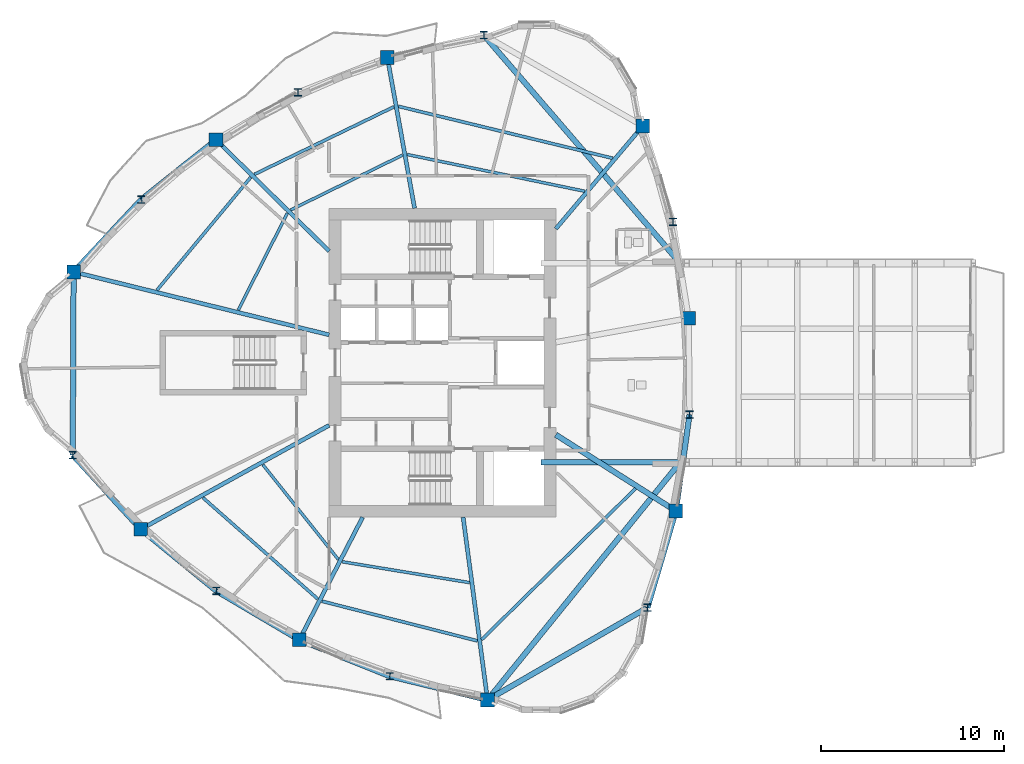
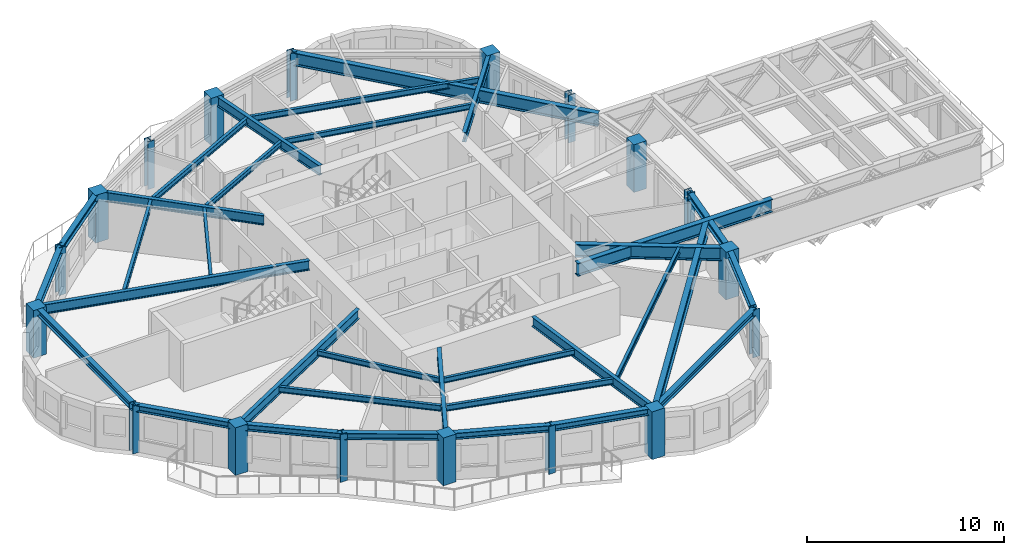
# One storey, part 1 of 13: 33 beams, 18 columns.
"""IFC4 building model written with IfcOpenShell, lengths in metres."""

import ifcopenshell
import ifcopenshell.guid

model = None  # the IFC model being written
_history = None  # IfcOwnerHistory: only IFC2X3 demands one
_inside = {}  # id of a spatial element -> (the spatial element, [elements in it])
_under = {}  # id of a project, library or spatial element -> (it, [spatial elements below it])
_declared = {}  # id of a project -> (the project, [libraries it declares])
_typed = {}  # id of a type object -> (the type object, [elements of that type])
_made_of = {}  # id of a material, layer set ... -> (it, [elements and type objects made of it])


def new_model(schema):
    """Start an empty IFC model of exactly this schema.

    Asked for "IFC4X3", IfcOpenShell would pick the latest addendum, in which some entities
    have other attributes; the version numbers below select the first issue.
    IFC2X3 requires an IfcOwnerHistory on every rooted entity: one is made here for all.
    """
    global model, _history
    if schema == "IFC4X3":
        model = ifcopenshell.file(schema_version=(4, 3, 0, 0))
    else:
        model = ifcopenshell.file(schema=schema)
    _inside.clear()
    _under.clear()
    _declared.clear()
    _typed.clear()
    _made_of.clear()
    _history = None
    if model.schema == "IFC2X3":
        org = make("IfcOrganization", Name="unknown")
        user = make(
            "IfcPersonAndOrganization",
            ThePerson=make("IfcPerson", FamilyName="unknown"),
            TheOrganization=org,
        )
        app = make(
            "IfcApplication",
            ApplicationDeveloper=org,
            Version="unknown",
            ApplicationFullName="unknown",
            ApplicationIdentifier="unknown",
        )
        _history = make(
            "IfcOwnerHistory",
            OwningUser=user,
            OwningApplication=app,
            ChangeAction="ADDED",
            CreationDate=0,
        )
    return model


def make(cls, **values):
    """One entity of the class cls with the attributes given. An attribute that is None is left unset."""
    return model.create_entity(
        cls, **{name: value for name, value in values.items() if value is not None}
    )


def rooted(cls, **values):
    """An entity with a GlobalId (a new one), such as an element, a storey or a relation."""
    return make(cls, GlobalId=ifcopenshell.guid.new(), OwnerHistory=_history, **values)


def si_unit(unit_type, name, prefix=None):
    """IfcSIUnit, for example si_unit("LENGTHUNIT", "METRE", prefix="MILLI")."""
    return make("IfcSIUnit", UnitType=unit_type, Prefix=prefix, Name=name)


def assignment(units):
    """IfcUnitAssignment: the units of a project."""
    return None if units is None else make("IfcUnitAssignment", Units=units)


def point(xyz):
    """IfcCartesianPoint."""
    return None if xyz is None else make("IfcCartesianPoint", Coordinates=xyz)


def direction(xyz):
    """IfcDirection."""
    return None if xyz is None else make("IfcDirection", DirectionRatios=xyz)


def frame(location, z_axis=None, x_axis=None):
    """IfcAxis2Placement3D, a coordinate frame: its origin and axes. An axis left out is left unset."""
    return make(
        "IfcAxis2Placement3D",
        Location=point(location),
        Axis=direction(z_axis),
        RefDirection=direction(x_axis),
    )


def frame_2d(location, x_axis=None):
    """IfcAxis2Placement2D, a coordinate frame in the plane: its origin and x axis."""
    return make(
        "IfcAxis2Placement2D", Location=point(location), RefDirection=direction(x_axis)
    )


def origin():
    """The frame at (0, 0, 0) with its axes left unset."""
    return frame((0.0, 0.0, 0.0))


def origin_2d():
    """The frame at (0, 0) in the plane with its x axis left unset."""
    return frame_2d((0.0, 0.0))


def place(relative_to, where):
    """IfcLocalPlacement: puts the frame where relative to a parent placement (None: the world)."""
    return make(
        "IfcLocalPlacement", PlacementRelTo=relative_to, RelativePlacement=where
    )


def context(
    kind, dimensions, precision=None, world=None, true_north=None, identifier=None
):
    """IfcGeometricRepresentationContext, for example the 3D "Model" context."""
    return make(
        "IfcGeometricRepresentationContext",
        ContextIdentifier=identifier,
        ContextType=kind,
        CoordinateSpaceDimension=dimensions,
        Precision=precision,
        WorldCoordinateSystem=world,
        TrueNorth=true_north,
    )


def subcontext(parent, identifier, kind, view, scale=None):
    """IfcGeometricRepresentationSubContext, for example "Body" below "Model"."""
    return make(
        "IfcGeometricRepresentationSubContext",
        ContextIdentifier=identifier,
        ContextType=kind,
        ParentContext=parent,
        TargetScale=scale,
        TargetView=view,
    )


def project(units=None, contexts=None):
    """IfcProject with its units and contexts."""
    return rooted(
        "IfcProject",
        Name="project",
        RepresentationContexts=contexts,
        UnitsInContext=assignment(units),
    )


def spatial(cls, under=None, at=None, **own):
    """A site, building, storey or space (cls), placed at a placement, below another one or the project."""
    s = rooted(cls, ObjectPlacement=at, **own)
    if under is not None:
        _under.setdefault(under.id(), (under, []))[1].append(s)
    return s


def profile(cls, at=None, kind="AREA", **sizes):
    """A parametric profile (cls). Its sizes go by their IFC names, for example OverallWidth=200.0."""
    return make(cls, ProfileType=kind, Position=at, **sizes)


def rectangle(**sizes):
    """IfcRectangleProfileDef."""
    return profile("IfcRectangleProfileDef", **sizes)


def i_section(**sizes):
    """IfcIShapeProfileDef."""
    return profile("IfcIShapeProfileDef", **sizes)


def extrude(swept, where, along, depth):
    """IfcExtrudedAreaSolid: the profile swept, set in the frame where, extruded along a direction by depth."""
    return make(
        "IfcExtrudedAreaSolid",
        SweptArea=swept,
        Position=where,
        ExtrudedDirection=direction(along),
        Depth=depth,
    )


def shape(context_of_items, identifier, shape_type, items):
    """IfcShapeRepresentation: the items that make up one representation, for example the "Body"."""
    return make(
        "IfcShapeRepresentation",
        ContextOfItems=context_of_items,
        RepresentationIdentifier=identifier,
        RepresentationType=shape_type,
        Items=items,
    )


def source(mapping_origin, context_of_items, identifier, shape_type, items):
    """IfcRepresentationMap: a shape defined once, which mapped items show again and again."""
    return make(
        "IfcRepresentationMap",
        MappingOrigin=mapping_origin,
        MappedRepresentation=shape(context_of_items, identifier, shape_type, items),
    )


def transform(
    local_origin,
    x_axis=None,
    y_axis=None,
    z_axis=None,
    scale=None,
    scale2=None,
    scale3=None,
    uniform=True,
):
    """IfcCartesianTransformationOperator3D, or its non-uniform kind. x_axis, y_axis, z_axis: its Axis1, 2, 3."""
    if uniform:
        return make(
            "IfcCartesianTransformationOperator3D",
            Axis1=direction(x_axis),
            Axis2=direction(y_axis),
            LocalOrigin=point(local_origin),
            Scale=scale,
            Axis3=direction(z_axis),
        )
    return make(
        "IfcCartesianTransformationOperator3DnonUniform",
        Axis1=direction(x_axis),
        Axis2=direction(y_axis),
        LocalOrigin=point(local_origin),
        Scale=scale,
        Axis3=direction(z_axis),
        Scale2=scale2,
        Scale3=scale3,
    )


def mapped(mapping_source, mapping_target):
    """IfcMappedItem: shows the shape of a source again, moved by a transform."""
    return make(
        "IfcMappedItem", MappingSource=mapping_source, MappingTarget=mapping_target
    )


def material(Name=None, Category=None):
    """IfcMaterial."""
    return make("IfcMaterial", Name=Name, Category=Category)


def material_profile(
    of_material, cross_section, Name=None, Category=None, Priority=None
):
    """IfcMaterialProfile: a cross section and its material."""
    return make(
        "IfcMaterialProfile",
        Name=Name,
        Material=of_material,
        Profile=cross_section,
        Priority=Priority,
        Category=Category,
    )


def profile_set(profiles, Name=None, composite=None):
    """IfcMaterialProfileSet."""
    return make(
        "IfcMaterialProfileSet",
        Name=Name,
        MaterialProfiles=profiles,
        CompositeProfile=composite,
    )


def made_of(thing, what):
    """Note that an element or type object is made of a material, layer set ...; save() writes the relation."""
    if what is not None:
        _made_of.setdefault(what.id(), (what, []))[1].append(thing)
    return thing


def type_object(cls, material=None, **own):
    """A type object (cls), such as IfcWallType, which elements share."""
    return made_of(rooted(cls, **own), material)


def element(
    cls,
    number,
    at=None,
    inside=None,
    cuts=None,
    type_object=None,
    material=None,
    context=None,
    identifier="Body",
    shape_type=None,
    held_by="IfcProductDefinitionShape",
    body=None,
    shapes=None,
    **own,
):
    """One element of the class cls, such as IfcWall. Its Tag is "e" and its number.

    at: its placement. inside: the storey or other place that contains it. cuts: it is an
    opening in that element (IfcRelVoidsElement). A single representation is given by context,
    identifier, shape_type and body (its items); several are given by shapes. held_by: the class
    of the entity that holds the representations. save() writes the other relations.
    """
    e = rooted(cls, Tag="e%d" % number, ObjectPlacement=at, **own)
    if body is not None:
        shapes = [shape(context, identifier, shape_type, body)]
    if shapes is not None:
        e.Representation = make(held_by, Representations=shapes)
    if inside is not None:
        _inside.setdefault(inside.id(), (inside, []))[1].append(e)
    if cuts is not None:
        rooted(
            "IfcRelVoidsElement", RelatingBuildingElement=cuts, RelatedOpeningElement=e
        )
    if type_object is not None:
        _typed.setdefault(type_object.id(), (type_object, []))[1].append(e)
    return made_of(e, material)


def aggregate(whole, parts):
    """IfcRelAggregates: a whole, such as a stair, and the parts it consists of."""
    return rooted("IfcRelAggregates", RelatingObject=whole, RelatedObjects=parts)


def save(model, path):
    """Write the relations noted so far, then the file.

    IfcRelAggregates (storeys below a building ...), IfcRelContainedInSpatialStructure (elements
    in a storey), IfcRelDefinesByType, IfcRelAssociatesMaterial and IfcRelDeclares: one each for
    every whole, place, type object, material and project.
    """
    for whole, parts in _under.values():
        aggregate(whole, parts)
    for where, things in _inside.values():
        rooted(
            "IfcRelContainedInSpatialStructure",
            RelatedElements=things,
            RelatingStructure=where,
        )
    for kind, things in _typed.values():
        rooted("IfcRelDefinesByType", RelatedObjects=things, RelatingType=kind)
    for what, things in _made_of.values():
        rooted("IfcRelAssociatesMaterial", RelatedObjects=things, RelatingMaterial=what)
    for by, libraries in _declared.values():
        rooted("IfcRelDeclares", RelatingContext=by, RelatedDefinitions=libraries)
    model.write(path)


model = new_model("IFC4")

# Units and contexts
model_context = context("Model", 3, precision=1e-05, world=origin(), true_north=direction((0.0, 1.0)))
body_context = subcontext(model_context, "Body", "Model", "MODEL_VIEW")
ifc_project = project(units=[si_unit("LENGTHUNIT", "METRE"), si_unit("AREAUNIT", "SQUARE_METRE"), si_unit("VOLUMEUNIT", "CUBIC_METRE"), si_unit("PLANEANGLEUNIT", "RADIAN"), si_unit("MASSUNIT", "GRAM", prefix="KILO")], contexts=[model_context])

# Site, building, storey
site_placement = place(None, origin())
site = spatial("IfcSite", under=ifc_project, at=site_placement, CompositionType="ELEMENT")
building_placement = place(site_placement, origin())
building = spatial("IfcBuilding", under=site, at=building_placement, Name="Qafzar Sky-Pleat Residences", CompositionType="ELEMENT")
storey_placement = place(building_placement, frame((0.0, 0.0, 158.60009765625)))
storey = spatial("IfcBuildingStorey", under=building, at=storey_placement, Name="L47", CompositionType="ELEMENT", Elevation=158.60009765625)

# Columns
ifc_material_1 = material(Name="Concrete C60/75", Category="concrete")
ifc_material_profile_1 = material_profile(ifc_material_1, rectangle(XDim=0.75, YDim=0.75, at=origin_2d()), Name="RC 750x750")
ifc_profile_set_1 = profile_set([ifc_material_profile_1], Name="Concrete C60/75")
column_type_1 = type_object("IfcColumnType", Name="COL-RC-750", PredefinedType="COLUMN", material=ifc_profile_set_1)
shared_shape_1 = source(origin(), body_context, "Body", "SweptSolid", [
    extrude(rectangle(XDim=0.75, YDim=0.75, at=origin_2d()), origin(), (0.0, 0.0, 1.0), 2.949951171875),
])
for number, where, z_axis, x_axis, name in (
    (1, (10.173583984375, 30.96728515625, 0.0), (0.0, 0.0, 1.0), (1.0, 0.0, 0.0), "L47 Perimeter Mega Column 1"),
    (2, (13.849365234375, 16.890869140625, 0.0), (0.0, 0.0, 1.0), (1.0, 0.0, 0.0), "L47 Perimeter Mega Column 3"),
    (3, (22.51904296875, 10.843017578125, 0.0), (0.0, 0.0, 1.0), (1.0, 0.0, 0.0), "L47 Perimeter Mega Column 5"),
    (4, (32.817626953125, 7.55419921875, 0.0), (0.0, 0.0, 1.0), (1.0, 0.0, 0.0), "L47 Perimeter Mega Column 7"),
    (5, (43.11669921875, 17.890380859375, 0.0), (0.0, 0.0, 1.0), (1.0, 0.0, 0.0), "L47 Perimeter Mega Column 9"),
    (6, (43.81591796875, 28.43798828125, 0.0), (0.0, 0.0, 1.0), (1.0, 0.0, 0.0), "L47 Perimeter Mega Column 11"),
    (7, (41.31103515625, 38.954833984375, 0.0), (0.0, 0.0, 1.0), (1.0, 0.0, 0.0), "L47 Perimeter Mega Column 13"),
    (8, (27.336181640625, 42.695068359375, 0.0), (0.0, 0.0, 1.0), (1.0, 0.0, 0.0), "L47 Perimeter Mega Column 15"),
    (9, (17.96728515625, 38.1953125, 0.0), (0.0, 0.0, 1.0), (1.0, 0.0, 0.0), "L47 Perimeter Mega Column 17"),
):
    element("IfcColumn", number, at=place(storey_placement, frame(where, z_axis=z_axis, x_axis=x_axis)), inside=storey, type_object=column_type_1, Name=name, PredefinedType="COLUMN", context=body_context, shape_type="MappedRepresentation", body=[
        mapped(shared_shape_1, transform((0.0, 0.0, 0.0), x_axis=(1.0, 0.0, 0.0), y_axis=(0.0, 1.0, 0.0), z_axis=(0.0, 0.0, 1.0), scale=1.0)),
    ])
ifc_material_2 = material(Name="Steel S355", Category="steel")
ifc_material_profile_2 = material_profile(ifc_material_2, i_section(OverallWidth=0.40087890625, OverallDepth=0.39892578125, WebThickness=0.02294921875, FlangeThickness=0.035888671875, FilletRadius=0.014892578125, at=origin_2d()), Name="HD 400x314")
ifc_profile_set_2 = profile_set([ifc_material_profile_2], Name="Steel S355")
column_type_2 = type_object("IfcColumnType", Name="COL-STL-HD314", PredefinedType="PILASTER", material=ifc_profile_set_2)
shared_shape_2 = source(origin(), body_context, "Body", "SweptSolid", [
    extrude(i_section(OverallWidth=0.40087890625, OverallDepth=0.39892578125, WebThickness=0.02294921875, FlangeThickness=0.035888671875, FilletRadius=0.014892578125, at=origin_2d()), origin(), (0.0, 0.0, 1.0), 2.949951171875),
])
for number, where, z_axis, x_axis, name in (
    (10, (10.125244140625, 20.94970703125, 0.0), (0.0, 0.0, 1.0), (1.0, 0.0, 0.0), "L47 Perimeter Mega Column 2"),
    (11, (17.98046875, 13.52197265625, 0.0), (0.0, 0.0, 1.0), (1.0, 0.0, 0.0), "L47 Perimeter Mega Column 4"),
    (12, (27.464599609375, 8.853759765625, 0.0), (0.0, 0.0, 1.0), (1.0, 0.0, 0.0), "L47 Perimeter Mega Column 6"),
    (13, (41.565673828125, 12.60498046875, 0.0), (0.0, 0.0, 1.0), (1.0, 0.0, 0.0), "L47 Perimeter Mega Column 8"),
    (14, (43.866943359375, 23.168212890625, 0.0), (0.0, 0.0, 1.0), (1.0, 0.0, 0.0), "L47 Perimeter Mega Column 10"),
    (15, (42.964111328125, 33.7001953125, 0.0), (0.0, 0.0, 1.0), (1.0, 0.0, 0.0), "L47 Perimeter Mega Column 12"),
    (16, (32.611328125, 43.921630859375, 0.0), (0.0, 0.0, 1.0), (1.0, 0.0, 0.0), "L47 Perimeter Mega Column 14"),
    (17, (22.454833984375, 40.786376953125, 0.0), (0.0, 0.0, 1.0), (1.0, 0.0, 0.0), "L47 Perimeter Mega Column 16"),
    (18, (13.87353515625, 34.92236328125, 0.0), (0.0, 0.0, 1.0), (1.0, 0.0, 0.0), "L47 Perimeter Mega Column 18"),
):
    element("IfcColumn", number, at=place(storey_placement, frame(where, z_axis=z_axis, x_axis=x_axis)), inside=storey, type_object=column_type_2, Name=name, PredefinedType="PILASTER", context=body_context, shape_type="MappedRepresentation", body=[
        mapped(shared_shape_2, transform((0.0, 0.0, 0.0), x_axis=(1.0, 0.0, 0.0), y_axis=(0.0, 1.0, 0.0), z_axis=(0.0, 0.0, 1.0), scale=1.0)),
    ])

# Beams
ifc_material_profile_3 = material_profile(ifc_material_2, i_section(OverallWidth=0.300048828125, OverallDepth=0.39990234375, WebThickness=0.013427734375, FlangeThickness=0.02392578125, FilletRadius=0.027099609375, at=origin_2d()), Name="HEB 400")
ifc_profile_set_3 = profile_set([ifc_material_profile_3], Name="Steel S355")
beam_type_1 = type_object("IfcBeamType", Name="BM-SPAN-HEB400", PredefinedType="SPANDREL", material=ifc_profile_set_3)
shared_shape_3 = source(origin(), body_context, "Body", "SweptSolid", [
    extrude(i_section(OverallWidth=0.300048828125, OverallDepth=0.39990234375, WebThickness=0.013427734375, FlangeThickness=0.02392578125, FilletRadius=0.027099609375, at=origin_2d()), origin(), (0.0, 0.0, 1.0), 10.017578125),
])
beam_1_placement = place(storey_placement, frame((10.173583984375, 30.96728515625, 2.747802734375), z_axis=(-0.004825445866, -0.999988357468, 0.0), x_axis=(0.999988357468, -0.004825445866, 0.0)))
element("IfcBeam", 19, at=beam_1_placement, inside=storey, type_object=beam_type_1, Name="L47 Perimeter Spandrel Beam 1", PredefinedType="SPANDREL", context=body_context, shape_type="MappedRepresentation", body=[
    mapped(shared_shape_3, transform((0.0, 0.0, 0.0), x_axis=(1.0, 0.0, 0.0), y_axis=(0.0, 1.0, 0.0), z_axis=(0.0, 0.0, 1.0), scale=1.0)),
])
shared_shape_4 = source(origin(), body_context, "Body", "SweptSolid", [
    extrude(i_section(OverallWidth=0.300048828125, OverallDepth=0.39990234375, WebThickness=0.013427734375, FlangeThickness=0.02392578125, FilletRadius=0.027099609375, at=origin_2d()), origin(), (0.0, 0.0, 1.0), 10.101318359375),
])
beam_2_placement = place(storey_placement, frame((32.817626953125, 7.55419921875, 2.747802734375), z_axis=(0.86602137294, 0.500006981563, 0.0), x_axis=(-0.500006981563, 0.86602137294, 0.0)))
element("IfcBeam", 20, at=beam_2_placement, inside=storey, type_object=beam_type_1, Name="L47 Perimeter Spandrel Beam 7", PredefinedType="SPANDREL", context=body_context, shape_type="MappedRepresentation", body=[
    mapped(shared_shape_4, transform((0.0, 0.0, 0.0), x_axis=(1.0, 0.0, 0.0), y_axis=(0.0, 1.0, 0.0), z_axis=(0.0, 0.0, 1.0), scale=1.0)),
])
shared_shape_5 = source(origin(), body_context, "Body", "SweptSolid", [
    extrude(i_section(OverallWidth=0.300048828125, OverallDepth=0.39990234375, WebThickness=0.013427734375, FlangeThickness=0.02392578125, FilletRadius=0.027099609375, at=origin_2d()), origin(), (0.0, 0.0, 1.0), 5.508544921875),
])
for number, where, z_axis, x_axis, name in (
    (21, (10.125244140625, 20.94970703125, 2.747802734375), (0.676071762207, -0.73683578384, 0.0), (0.73683578384, 0.676071762207, 0.0), "L47 Perimeter Spandrel Beam 2"),
    (22, (27.464599609375, 8.853759765625, 2.747802734375), (0.971772867316, -0.235918406126, 0.0), (0.235918406126, 0.971772867316, 0.0), "L47 Perimeter Spandrel Beam 6"),
):
    element("IfcBeam", number, at=place(storey_placement, frame(where, z_axis=z_axis, x_axis=x_axis)), inside=storey, type_object=beam_type_1, Name=name, PredefinedType="SPANDREL", context=body_context, shape_type="MappedRepresentation", body=[
        mapped(shared_shape_5, transform((0.0, 0.0, 0.0), x_axis=(1.0, 0.0, 0.0), y_axis=(0.0, 1.0, 0.0), z_axis=(0.0, 0.0, 1.0), scale=1.0)),
    ])
shared_shape_6 = source(origin(), body_context, "Body", "SweptSolid", [
    extrude(i_section(OverallWidth=0.300048828125, OverallDepth=0.39990234375, WebThickness=0.013427734375, FlangeThickness=0.02392578125, FilletRadius=0.027099609375, at=origin_2d()), origin(), (0.0, 0.0, 1.0), 5.33056640625),
])
for number, where, z_axis, x_axis, name in (
    (23, (13.849365234375, 16.890869140625, 2.747802734375), (0.774976584749, -0.631989946986, 0.0), (0.631989946986, 0.774976584749, 0.0), "L47 Perimeter Spandrel Beam 3"),
    (24, (22.51904296875, 10.843017578125, 2.747802734375), (0.92776113482, -0.373174592808, 0.0), (0.373174592808, 0.92776113482, 0.0), "L47 Perimeter Spandrel Beam 5"),
):
    element("IfcBeam", number, at=place(storey_placement, frame(where, z_axis=z_axis, x_axis=x_axis)), inside=storey, type_object=beam_type_1, Name=name, PredefinedType="SPANDREL", context=body_context, shape_type="MappedRepresentation", body=[
        mapped(shared_shape_6, transform((0.0, 0.0, 0.0), x_axis=(1.0, 0.0, 0.0), y_axis=(0.0, 1.0, 0.0), z_axis=(0.0, 0.0, 1.0), scale=1.0)),
    ])
shared_shape_7 = source(origin(), body_context, "Body", "SweptSolid", [
    extrude(i_section(OverallWidth=0.300048828125, OverallDepth=0.39990234375, WebThickness=0.013427734375, FlangeThickness=0.02392578125, FilletRadius=0.027099609375, at=origin_2d()), origin(), (0.0, 0.0, 1.0), 5.270263671875),
])
beam_3_placement = place(storey_placement, frame((17.98046875, 13.52197265625, 2.747802734375), z_axis=(0.861169898552, -0.508317229522, 0.0), x_axis=(0.508317229522, 0.861169898552, 0.0)))
element("IfcBeam", 25, at=beam_3_placement, inside=storey, type_object=beam_type_1, Name="L47 Perimeter Spandrel Beam 4", PredefinedType="SPANDREL", context=body_context, shape_type="MappedRepresentation", body=[
    mapped(shared_shape_7, transform((0.0, 0.0, 0.0), x_axis=(1.0, 0.0, 0.0), y_axis=(0.0, 1.0, 0.0), z_axis=(0.0, 0.0, 1.0), scale=1.0)),
])
shared_shape_8 = source(origin(), body_context, "Body", "SweptSolid", [
    extrude(i_section(OverallWidth=0.300048828125, OverallDepth=0.39990234375, WebThickness=0.013427734375, FlangeThickness=0.02392578125, FilletRadius=0.027099609375, at=origin_2d()), origin(), (0.0, 0.0, 1.0), 5.50830078125),
])
beam_4_placement = place(storey_placement, frame((41.565673828125, 12.60498046875, 2.747802734375), z_axis=(0.281580762913, 0.959537531292, 0.0), x_axis=(-0.959537531292, 0.281580762913, 0.0)))
element("IfcBeam", 26, at=beam_4_placement, inside=storey, type_object=beam_type_1, Name="L47 Perimeter Spandrel Beam 8", PredefinedType="SPANDREL", context=body_context, shape_type="MappedRepresentation", body=[
    mapped(shared_shape_8, transform((0.0, 0.0, 0.0), x_axis=(1.0, 0.0, 0.0), y_axis=(0.0, 1.0, 0.0), z_axis=(0.0, 0.0, 1.0), scale=1.0)),
])
shared_shape_9 = source(origin(), body_context, "Body", "SweptSolid", [
    extrude(i_section(OverallWidth=0.300048828125, OverallDepth=0.39990234375, WebThickness=0.013427734375, FlangeThickness=0.02392578125, FilletRadius=0.027099609375, at=origin_2d()), origin(), (0.0, 0.0, 1.0), 5.330810546875),
])
beam_5_placement = place(storey_placement, frame((43.11669921875, 17.890380859375, 2.747802734375), z_axis=(0.140735277871, 0.990047262287, 0.0), x_axis=(-0.990047262287, 0.140735277871, 0.0)))
element("IfcBeam", 27, at=beam_5_placement, inside=storey, type_object=beam_type_1, Name="L47 Perimeter Spandrel Beam 9", PredefinedType="SPANDREL", context=body_context, shape_type="MappedRepresentation", body=[
    mapped(shared_shape_9, transform((0.0, 0.0, 0.0), x_axis=(1.0, 0.0, 0.0), y_axis=(0.0, 1.0, 0.0), z_axis=(0.0, 0.0, 1.0), scale=1.0)),
])
shared_shape_10 = source(origin(), body_context, "Body", "SweptSolid", [
    extrude(i_section(OverallWidth=0.300048828125, OverallDepth=0.39990234375, WebThickness=0.013427734375, FlangeThickness=0.02392578125, FilletRadius=0.027099609375, at=origin_2d()), origin(), (0.0, 0.0, 1.0), 5.2412109375),
])
beam_6_placement = place(storey_placement, frame((17.96728515625, 38.1953125, 2.747802734375), z_axis=(-0.781059638901, -0.624456436015, 0.0), x_axis=(0.624456436015, -0.781059638901, 0.0)))
element("IfcBeam", 28, at=beam_6_placement, inside=storey, type_object=beam_type_1, Name="L47 Perimeter Spandrel Beam 17", PredefinedType="SPANDREL", context=body_context, shape_type="MappedRepresentation", body=[
    mapped(shared_shape_10, transform((0.0, 0.0, 0.0), x_axis=(1.0, 0.0, 0.0), y_axis=(0.0, 1.0, 0.0), z_axis=(0.0, 0.0, 1.0), scale=1.0)),
])
shared_shape_11 = source(origin(), body_context, "Body", "SweptSolid", [
    extrude(i_section(OverallWidth=0.300048828125, OverallDepth=0.39990234375, WebThickness=0.013427734375, FlangeThickness=0.02392578125, FilletRadius=0.027099609375, at=origin_2d()), origin(), (0.0, 0.0, 1.0), 5.416015625),
])
beam_7_placement = place(storey_placement, frame((13.87353515625, 34.92236328125, 2.747802734375), z_axis=(-0.683161006197, -0.730267786235, 0.0), x_axis=(0.730267786235, -0.683161006197, 0.0)))
element("IfcBeam", 29, at=beam_7_placement, inside=storey, type_object=beam_type_1, Name="L47 Perimeter Spandrel Beam 18", PredefinedType="SPANDREL", context=body_context, shape_type="MappedRepresentation", body=[
    mapped(shared_shape_11, transform((0.0, 0.0, 0.0), x_axis=(1.0, 0.0, 0.0), y_axis=(0.0, 1.0, 0.0), z_axis=(0.0, 0.0, 1.0), scale=1.0)),
])
ifc_material_profile_4 = material_profile(ifc_material_2, i_section(OverallWidth=0.219970703125, OverallDepth=0.60009765625, WebThickness=0.011962890625, FlangeThickness=0.01904296875, FilletRadius=0.02392578125, at=origin_2d()), Name="IPE 600")
ifc_profile_set_4 = profile_set([ifc_material_profile_4], Name="Steel S355")
beam_type_2 = type_object("IfcBeamType", Name="BM-SEC-IPE600", PredefinedType="BEAM", material=ifc_profile_set_4)
shared_shape_12 = source(origin(), body_context, "Body", "SweptSolid", [
    extrude(i_section(OverallWidth=0.219970703125, OverallDepth=0.60009765625, WebThickness=0.011962890625, FlangeThickness=0.01904296875, FilletRadius=0.02392578125, at=origin_2d()), origin(), (0.0, 0.0, 1.0), 14.3935546875),
])
beam_8_placement = place(storey_placement, frame((10.173583984375, 30.96728515625, 2.64794921875), z_axis=(0.971005309059, -0.239057921391, 0.0), x_axis=(0.239057921391, 0.971005309059, 0.0)))
element("IfcBeam", 30, at=beam_8_placement, inside=storey, type_object=beam_type_2, Name="L47 Radial Floor Girder 1", PredefinedType="BEAM", context=body_context, shape_type="MappedRepresentation", body=[
    mapped(shared_shape_12, transform((0.0, 0.0, 0.0), x_axis=(1.0, 0.0, 0.0), y_axis=(0.0, 1.0, 0.0), z_axis=(0.0, 0.0, 1.0), scale=1.0)),
])
shared_shape_13 = source(origin(), body_context, "Body", "SweptSolid", [
    extrude(i_section(OverallWidth=0.219970703125, OverallDepth=0.60009765625, WebThickness=0.011962890625, FlangeThickness=0.01904296875, FilletRadius=0.02392578125, at=origin_2d()), origin(), (0.0, 0.0, 1.0), 11.765869140625),
])
beam_9_placement = place(storey_placement, frame((13.849365234375, 16.890869140625, 2.64794921875), z_axis=(0.875452967173, 0.483303323254, 0.0), x_axis=(-0.483303323254, 0.875452967173, 0.0)))
element("IfcBeam", 31, at=beam_9_placement, inside=storey, type_object=beam_type_2, Name="L47 Radial Floor Girder 3", PredefinedType="BEAM", context=body_context, shape_type="MappedRepresentation", body=[
    mapped(shared_shape_13, transform((0.0, 0.0, 0.0), x_axis=(1.0, 0.0, 0.0), y_axis=(0.0, 1.0, 0.0), z_axis=(0.0, 0.0, 1.0), scale=1.0)),
])
shared_shape_14 = source(origin(), body_context, "Body", "SweptSolid", [
    extrude(i_section(OverallWidth=0.219970703125, OverallDepth=0.60009765625, WebThickness=0.011962890625, FlangeThickness=0.01904296875, FilletRadius=0.02392578125, at=origin_2d()), origin(), (0.0, 0.0, 1.0), 7.54931640625),
])
beam_10_placement = place(storey_placement, frame((22.51904296875, 10.843017578125, 2.64794921875), z_axis=(0.459023455259, 0.888424148435, 0.0), x_axis=(-0.888424148435, 0.459023455259, 0.0)))
element("IfcBeam", 32, at=beam_10_placement, inside=storey, type_object=beam_type_2, Name="L47 Radial Floor Girder 5", PredefinedType="BEAM", context=body_context, shape_type="MappedRepresentation", body=[
    mapped(shared_shape_14, transform((0.0, 0.0, 0.0), x_axis=(1.0, 0.0, 0.0), y_axis=(0.0, 1.0, 0.0), z_axis=(0.0, 0.0, 1.0), scale=1.0)),
])
shared_shape_15 = source(origin(), body_context, "Body", "SweptSolid", [
    extrude(i_section(OverallWidth=0.219970703125, OverallDepth=0.60009765625, WebThickness=0.011962890625, FlangeThickness=0.01904296875, FilletRadius=0.02392578125, at=origin_2d()), origin(), (0.0, 0.0, 1.0), 10.0849609375),
])
beam_11_placement = place(storey_placement, frame((32.817626953125, 7.55419921875, 2.64794921875), z_axis=(-0.132590264736, 0.991170934651, 0.0), x_axis=(-0.991170934651, -0.132590264736, 0.0)))
element("IfcBeam", 33, at=beam_11_placement, inside=storey, type_object=beam_type_2, Name="L47 Radial Floor Girder 7", PredefinedType="BEAM", context=body_context, shape_type="MappedRepresentation", body=[
    mapped(shared_shape_15, transform((0.0, 0.0, 0.0), x_axis=(1.0, 0.0, 0.0), y_axis=(0.0, 1.0, 0.0), z_axis=(0.0, 0.0, 1.0), scale=1.0)),
])
ifc_material_3 = material(Name="Steel S460", Category="steel")
ifc_material_profile_5 = material_profile(ifc_material_3, i_section(OverallWidth=0.300048828125, OverallDepth=0.800048828125, WebThickness=0.017578125, FlangeThickness=0.032958984375, FilletRadius=0.030029296875, at=origin_2d()), Name="HEB 800")
ifc_profile_set_5 = profile_set([ifc_material_profile_5], Name="Steel S460")
beam_type_3 = type_object("IfcBeamType", Name="BM-CHORD-HEB800", PredefinedType="BEAM", material=ifc_profile_set_5)
shared_shape_16 = source(origin(), body_context, "Body", "SweptSolid", [
    extrude(i_section(OverallWidth=0.300048828125, OverallDepth=0.800048828125, WebThickness=0.017578125, FlangeThickness=0.032958984375, FilletRadius=0.030029296875, at=origin_2d()), origin(), (0.0, 0.0, 1.0), 7.779541015625),
])
beam_12_placement = place(storey_placement, frame((43.11669921875, 17.890380859375, 2.5478515625), z_axis=(-0.844091524376, 0.536199122039, 0.0), x_axis=(-0.536199122039, -0.844091524376, 0.0)))
element("IfcBeam", 34, at=beam_12_placement, inside=storey, type_object=beam_type_3, Name="L47 Radial Floor Girder 9", PredefinedType="BEAM", context=body_context, shape_type="MappedRepresentation", body=[
    mapped(shared_shape_16, transform((0.0, 0.0, 0.0), x_axis=(1.0, 0.0, 0.0), y_axis=(0.0, 1.0, 0.0), z_axis=(0.0, 0.0, 1.0), scale=1.0)),
])
shared_shape_17 = source(origin(), body_context, "Body", "SweptSolid", [
    extrude(i_section(OverallWidth=0.219970703125, OverallDepth=0.60009765625, WebThickness=0.011962890625, FlangeThickness=0.01904296875, FilletRadius=0.02392578125, at=origin_2d()), origin(), (0.0, 0.0, 1.0), 7.370849609375),
])
beam_13_placement = place(storey_placement, frame((41.31103515625, 38.954833984375, 2.64794921875), z_axis=(-0.645919969231, -0.763405130549, 0.0), x_axis=(0.763405130549, -0.645919969231, 0.0)))
element("IfcBeam", 35, at=beam_13_placement, inside=storey, type_object=beam_type_2, Name="L47 Radial Floor Girder 13", PredefinedType="BEAM", context=body_context, shape_type="MappedRepresentation", body=[
    mapped(shared_shape_17, transform((0.0, 0.0, 0.0), x_axis=(1.0, 0.0, 0.0), y_axis=(0.0, 1.0, 0.0), z_axis=(0.0, 0.0, 1.0), scale=1.0)),
])
shared_shape_18 = source(origin(), body_context, "Body", "SweptSolid", [
    extrude(i_section(OverallWidth=0.219970703125, OverallDepth=0.60009765625, WebThickness=0.011962890625, FlangeThickness=0.01904296875, FilletRadius=0.02392578125, at=origin_2d()), origin(), (0.0, 0.0, 1.0), 8.37841796875),
])
beam_14_placement = place(storey_placement, frame((27.336181640625, 42.695068359375, 2.64794921875), z_axis=(0.177633930077, -0.984096634933, 0.0), x_axis=(0.984096634933, 0.177633930077, 0.0)))
element("IfcBeam", 36, at=beam_14_placement, inside=storey, type_object=beam_type_2, Name="L47 Radial Floor Girder 15", PredefinedType="BEAM", context=body_context, shape_type="MappedRepresentation", body=[
    mapped(shared_shape_18, transform((0.0, 0.0, 0.0), x_axis=(1.0, 0.0, 0.0), y_axis=(0.0, 1.0, 0.0), z_axis=(0.0, 0.0, 1.0), scale=1.0)),
])
shared_shape_19 = source(origin(), body_context, "Body", "SweptSolid", [
    extrude(i_section(OverallWidth=0.219970703125, OverallDepth=0.60009765625, WebThickness=0.011962890625, FlangeThickness=0.01904296875, FilletRadius=0.02392578125, at=origin_2d()), origin(), (0.0, 0.0, 1.0), 8.677734375),
])
beam_15_placement = place(storey_placement, frame((17.96728515625, 38.1953125, 2.64794921875), z_axis=(0.712473981053, -0.701698529515, 0.0), x_axis=(0.701698529515, 0.712473981053, 0.0)))
element("IfcBeam", 37, at=beam_15_placement, inside=storey, type_object=beam_type_2, Name="L47 Radial Floor Girder 17", PredefinedType="BEAM", context=body_context, shape_type="MappedRepresentation", body=[
    mapped(shared_shape_19, transform((0.0, 0.0, 0.0), x_axis=(1.0, 0.0, 0.0), y_axis=(0.0, 1.0, 0.0), z_axis=(0.0, 0.0, 1.0), scale=1.0)),
])
ifc_material_profile_6 = material_profile(ifc_material_2, i_section(OverallWidth=0.169921875, OverallDepth=0.360107421875, WebThickness=0.008056640625, FlangeThickness=0.0126953125, FilletRadius=0.01806640625, at=origin_2d()), Name="IPE 360")
ifc_profile_set_6 = profile_set([ifc_material_profile_6], Name="Steel S355")
beam_type_4 = type_object("IfcBeamType", Name="BM-JST-IPE360", PredefinedType="JOIST", material=ifc_profile_set_6)
shared_shape_20 = source(origin(), body_context, "Body", "SweptSolid", [
    extrude(i_section(OverallWidth=0.169921875, OverallDepth=0.360107421875, WebThickness=0.008056640625, FlangeThickness=0.0126953125, FilletRadius=0.01806640625, at=origin_2d()), origin(), (0.0, 0.0, 1.0), 8.3759765625),
])
beam_16_placement = place(storey_placement, frame((17.24658203125, 18.62109375, 2.767822265625), z_axis=(0.749762146245, -0.661707430862, 0.0), x_axis=(0.661707430862, 0.749762146245, 0.0)))
element("IfcBeam", 38, at=beam_16_placement, inside=storey, type_object=beam_type_4, Name="L47 Outer Secondary Floor Joist 2", PredefinedType="JOIST", context=body_context, shape_type="MappedRepresentation", body=[
    mapped(shared_shape_20, transform((0.0, 0.0, 0.0), x_axis=(1.0, 0.0, 0.0), y_axis=(0.0, 1.0, 0.0), z_axis=(0.0, 0.0, 1.0), scale=1.0)),
])
shared_shape_21 = source(origin(), body_context, "Body", "SweptSolid", [
    extrude(i_section(OverallWidth=0.169921875, OverallDepth=0.360107421875, WebThickness=0.008056640625, FlangeThickness=0.0126953125, FilletRadius=0.01806640625, at=origin_2d()), origin(), (0.0, 0.0, 1.0), 8.7724609375),
])
beam_17_placement = place(storey_placement, frame((23.7587890625, 12.955810546875, 2.767822265625), z_axis=(0.968938996668, -0.247299859961, 0.0), x_axis=(0.247299859961, 0.968938996668, 0.0)))
element("IfcBeam", 39, at=beam_17_placement, inside=storey, type_object=beam_type_4, Name="L47 Outer Secondary Floor Joist 3", PredefinedType="JOIST", context=body_context, shape_type="MappedRepresentation", body=[
    mapped(shared_shape_21, transform((0.0, 0.0, 0.0), x_axis=(1.0, 0.0, 0.0), y_axis=(0.0, 1.0, 0.0), z_axis=(0.0, 0.0, 1.0), scale=1.0)),
])
shared_shape_22 = source(origin(), body_context, "Body", "SweptSolid", [
    extrude(i_section(OverallWidth=0.169921875, OverallDepth=0.360107421875, WebThickness=0.008056640625, FlangeThickness=0.0126953125, FilletRadius=0.01806640625, at=origin_2d()), origin(), (0.0, 0.0, 1.0), 11.82080078125),
])
beam_18_placement = place(storey_placement, frame((32.486083984375, 10.847412109375, 2.767822265625), z_axis=(0.713419028296, 0.700737675642, 0.0), x_axis=(-0.700737675642, 0.713419028296, 0.0)))
element("IfcBeam", 40, at=beam_18_placement, inside=storey, type_object=beam_type_4, Name="L47 Outer Secondary Floor Joist 4", PredefinedType="JOIST", context=body_context, shape_type="MappedRepresentation", body=[
    mapped(shared_shape_22, transform((0.0, 0.0, 0.0), x_axis=(1.0, 0.0, 0.0), y_axis=(0.0, 1.0, 0.0), z_axis=(0.0, 0.0, 1.0), scale=1.0)),
])
shared_shape_23 = source(origin(), body_context, "Body", "SweptSolid", [
    extrude(i_section(OverallWidth=0.169921875, OverallDepth=0.360107421875, WebThickness=0.008056640625, FlangeThickness=0.0126953125, FilletRadius=0.01806640625, at=origin_2d()), origin(), (0.0, 0.0, 1.0), 12.0517578125),
])
beam_19_placement = place(storey_placement, frame((39.65625, 37.18603515625, 2.767822265625), z_axis=(-0.971860786955, 0.235555961036, 0.0), x_axis=(-0.235555961036, -0.971860786955, 0.0)))
element("IfcBeam", 41, at=beam_19_placement, inside=storey, type_object=beam_type_4, Name="L47 Outer Secondary Floor Joist 7", PredefinedType="JOIST", context=body_context, shape_type="MappedRepresentation", body=[
    mapped(shared_shape_23, transform((0.0, 0.0, 0.0), x_axis=(1.0, 0.0, 0.0), y_axis=(0.0, 1.0, 0.0), z_axis=(0.0, 0.0, 1.0), scale=1.0)),
])
shared_shape_24 = source(origin(), body_context, "Body", "SweptSolid", [
    extrude(i_section(OverallWidth=0.169921875, OverallDepth=0.360107421875, WebThickness=0.008056640625, FlangeThickness=0.0126953125, FilletRadius=0.01806640625, at=origin_2d()), origin(), (0.0, 0.0, 1.0), 8.470458984375),
])
beam_20_placement = place(storey_placement, frame((27.69091796875, 39.997802734375, 2.767822265625), z_axis=(-0.900004998157, -0.435879574301, 0.0), x_axis=(0.435879574301, -0.900004998157, 0.0)))
element("IfcBeam", 42, at=beam_20_placement, inside=storey, type_object=beam_type_4, Name="L47 Outer Secondary Floor Joist 8", PredefinedType="JOIST", context=body_context, shape_type="MappedRepresentation", body=[
    mapped(shared_shape_24, transform((0.0, 0.0, 0.0), x_axis=(1.0, 0.0, 0.0), y_axis=(0.0, 1.0, 0.0), z_axis=(0.0, 0.0, 1.0), scale=1.0)),
])
shared_shape_25 = source(origin(), body_context, "Body", "SweptSolid", [
    extrude(i_section(OverallWidth=0.169921875, OverallDepth=0.360107421875, WebThickness=0.008056640625, FlangeThickness=0.0126953125, FilletRadius=0.01806640625, at=origin_2d()), origin(), (0.0, 0.0, 1.0), 8.0244140625),
])
beam_21_placement = place(storey_placement, frame((19.859619140625, 36.14306640625, 2.767822265625), z_axis=(-0.638944642155, -0.769252718072, 0.0), x_axis=(0.769252718072, -0.638944642155, 0.0)))
element("IfcBeam", 43, at=beam_21_placement, inside=storey, type_object=beam_type_4, Name="L47 Outer Secondary Floor Joist 9", PredefinedType="JOIST", context=body_context, shape_type="MappedRepresentation", body=[
    mapped(shared_shape_25, transform((0.0, 0.0, 0.0), x_axis=(1.0, 0.0, 0.0), y_axis=(0.0, 1.0, 0.0), z_axis=(0.0, 0.0, 1.0), scale=1.0)),
])
ifc_material_profile_7 = material_profile(ifc_material_2, i_section(OverallWidth=0.159912109375, OverallDepth=0.330078125, WebThickness=0.007568359375, FlangeThickness=0.011474609375, FilletRadius=0.01806640625, at=origin_2d()), Name="IPE 330")
ifc_profile_set_7 = profile_set([ifc_material_profile_7], Name="Steel S355")
beam_type_5 = type_object("IfcBeamType", Name="BM-JST-IPE330", PredefinedType="JOIST", material=ifc_profile_set_7)
shared_shape_26 = source(origin(), body_context, "Body", "SweptSolid", [
    extrude(i_section(OverallWidth=0.159912109375, OverallDepth=0.330078125, WebThickness=0.007568359375, FlangeThickness=0.011474609375, FilletRadius=0.01806640625, at=origin_2d()), origin(), (0.0, 0.0, 1.0), 6.62548828125),
])
beam_22_placement = place(storey_placement, frame((20.52587890625, 20.424560546875, 2.782958984375), z_axis=(0.622855370596, -0.782337003675, 0.0), x_axis=(0.782337003675, 0.622855370596, 0.0)))
element("IfcBeam", 44, at=beam_22_placement, inside=storey, type_object=beam_type_5, Name="L47 Inner Secondary Floor Joist 2", PredefinedType="JOIST", context=body_context, shape_type="MappedRepresentation", body=[
    mapped(shared_shape_26, transform((0.0, 0.0, 0.0), x_axis=(1.0, 0.0, 0.0), y_axis=(0.0, 1.0, 0.0), z_axis=(0.0, 0.0, 1.0), scale=1.0)),
])
shared_shape_27 = source(origin(), body_context, "Body", "SweptSolid", [
    extrude(i_section(OverallWidth=0.159912109375, OverallDepth=0.330078125, WebThickness=0.007568359375, FlangeThickness=0.011474609375, FilletRadius=0.01806640625, at=origin_2d()), origin(), (0.0, 0.0, 1.0), 7.05126953125),
])
beam_23_placement = place(storey_placement, frame((24.8701171875, 15.113525390625, 2.782958984375), z_axis=(0.986841253711, -0.161692114758, 0.0), x_axis=(0.161692114758, 0.986841253711, 0.0)))
element("IfcBeam", 45, at=beam_23_placement, inside=storey, type_object=beam_type_5, Name="L47 Inner Secondary Floor Joist 3", PredefinedType="JOIST", context=body_context, shape_type="MappedRepresentation", body=[
    mapped(shared_shape_27, transform((0.0, 0.0, 0.0), x_axis=(1.0, 0.0, 0.0), y_axis=(0.0, 1.0, 0.0), z_axis=(0.0, 0.0, 1.0), scale=1.0)),
])
shared_shape_28 = source(origin(), body_context, "Body", "SweptSolid", [
    extrude(i_section(OverallWidth=0.159912109375, OverallDepth=0.330078125, WebThickness=0.007568359375, FlangeThickness=0.011474609375, FilletRadius=0.01806640625, at=origin_2d()), origin(), (0.0, 0.0, 1.0), 9.916748046875),
])
beam_24_placement = place(storey_placement, frame((38.1318359375, 35.380859375, 2.782958984375), z_axis=(-0.979243404556, 0.202687825566, 0.0), x_axis=(-0.202687825566, -0.979243404556, 0.0)))
element("IfcBeam", 46, at=beam_24_placement, inside=storey, type_object=beam_type_5, Name="L47 Inner Secondary Floor Joist 7", PredefinedType="JOIST", context=body_context, shape_type="MappedRepresentation", body=[
    mapped(shared_shape_28, transform((0.0, 0.0, 0.0), x_axis=(1.0, 0.0, 0.0), y_axis=(0.0, 1.0, 0.0), z_axis=(0.0, 0.0, 1.0), scale=1.0)),
])
shared_shape_29 = source(origin(), body_context, "Body", "SweptSolid", [
    extrude(i_section(OverallWidth=0.159912109375, OverallDepth=0.330078125, WebThickness=0.007568359375, FlangeThickness=0.011474609375, FilletRadius=0.01806640625, at=origin_2d()), origin(), (0.0, 0.0, 1.0), 6.818115234375),
])
beam_25_placement = place(storey_placement, frame((28.16748046875, 37.35888671875, 2.782958984375), z_axis=(-0.897908790265, -0.440181558411, 0.0), x_axis=(0.440181558411, -0.897908790265, 0.0)))
element("IfcBeam", 47, at=beam_25_placement, inside=storey, type_object=beam_type_5, Name="L47 Inner Secondary Floor Joist 8", PredefinedType="JOIST", context=body_context, shape_type="MappedRepresentation", body=[
    mapped(shared_shape_29, transform((0.0, 0.0, 0.0), x_axis=(1.0, 0.0, 0.0), y_axis=(0.0, 1.0, 0.0), z_axis=(0.0, 0.0, 1.0), scale=1.0)),
])
shared_shape_30 = source(origin(), body_context, "Body", "SweptSolid", [
    extrude(i_section(OverallWidth=0.159912109375, OverallDepth=0.330078125, WebThickness=0.007568359375, FlangeThickness=0.011474609375, FilletRadius=0.01806640625, at=origin_2d()), origin(), (0.0, 0.0, 1.0), 5.93408203125),
])
beam_26_placement = place(storey_placement, frame((21.86328125, 34.177978515625, 2.782958984375), z_axis=(-0.452242393984, -0.891895070669, 0.0), x_axis=(0.891895070669, -0.452242393984, 0.0)))
element("IfcBeam", 48, at=beam_26_placement, inside=storey, type_object=beam_type_5, Name="L47 Inner Secondary Floor Joist 9", PredefinedType="JOIST", context=body_context, shape_type="MappedRepresentation", body=[
    mapped(shared_shape_30, transform((0.0, 0.0, 0.0), x_axis=(1.0, 0.0, 0.0), y_axis=(0.0, 1.0, 0.0), z_axis=(0.0, 0.0, 1.0), scale=1.0)),
])
shared_shape_31 = source(origin(), body_context, "Body", "SweptSolid", [
    extrude(i_section(OverallWidth=0.300048828125, OverallDepth=0.800048828125, WebThickness=0.017578125, FlangeThickness=0.032958984375, FilletRadius=0.030029296875, at=origin_2d()), origin(), (0.0, 0.0, 1.0), 11.405029296875),
])
beam_27_placement = place(storey_placement, frame((35.75, 20.550048828125, 2.5478515625), z_axis=(1.0, 0.0, 0.0), x_axis=(0.0, 1.0, 0.0)))
element("IfcBeam", 49, at=beam_27_placement, inside=storey, type_object=beam_type_3, Name="L47 SB-4 Truss Chord R1", PredefinedType="BEAM", context=body_context, shape_type="MappedRepresentation", body=[
    mapped(shared_shape_31, transform((0.0, 0.0, 0.0), x_axis=(1.0, 0.0, 0.0), y_axis=(0.0, 1.0, 0.0), z_axis=(0.0, 0.0, 1.0), scale=1.0)),
])
shared_shape_32 = source(origin(), body_context, "Body", "SweptSolid", [
    extrude(i_section(OverallWidth=0.300048828125, OverallDepth=0.800048828125, WebThickness=0.017578125, FlangeThickness=0.032958984375, FilletRadius=0.030029296875, at=origin_2d()), origin(), (0.0, 0.0, 1.0), 16.4580078125),
])
beam_28_placement = place(storey_placement, frame((32.611328125, 43.921630859375, 2.5478515625), z_axis=(0.652497580975, -0.757790806768, 0.0), x_axis=(0.757790806768, 0.652497580975, 0.0)))
element("IfcBeam", 50, at=beam_28_placement, inside=storey, type_object=beam_type_3, Name="L47 SB-4 Wing-Belt Top Chord L", PredefinedType="BEAM", context=body_context, shape_type="MappedRepresentation", body=[
    mapped(shared_shape_32, transform((0.0, 0.0, 0.0), x_axis=(1.0, 0.0, 0.0), y_axis=(0.0, 1.0, 0.0), z_axis=(0.0, 0.0, 1.0), scale=1.0)),
])
shared_shape_33 = source(origin(), body_context, "Body", "SweptSolid", [
    extrude(i_section(OverallWidth=0.300048828125, OverallDepth=0.800048828125, WebThickness=0.017578125, FlangeThickness=0.032958984375, FilletRadius=0.030029296875, at=origin_2d()), origin(), (0.0, 0.0, 1.0), 16.72802734375),
])
beam_29_placement = place(storey_placement, frame((32.817626953125, 7.55419921875, 2.5478515625), z_axis=(0.62963225446, 0.776893315806, 0.0), x_axis=(-0.776893315806, 0.62963225446, 0.0)))
element("IfcBeam", 51, at=beam_29_placement, inside=storey, type_object=beam_type_3, Name="L47 SB-4 Wing-Belt Top Chord R", PredefinedType="BEAM", context=body_context, shape_type="MappedRepresentation", body=[
    mapped(shared_shape_33, transform((0.0, 0.0, 0.0), x_axis=(1.0, 0.0, 0.0), y_axis=(0.0, 1.0, 0.0), z_axis=(0.0, 0.0, 1.0), scale=1.0)),
])

save(model, "model.ifc")
